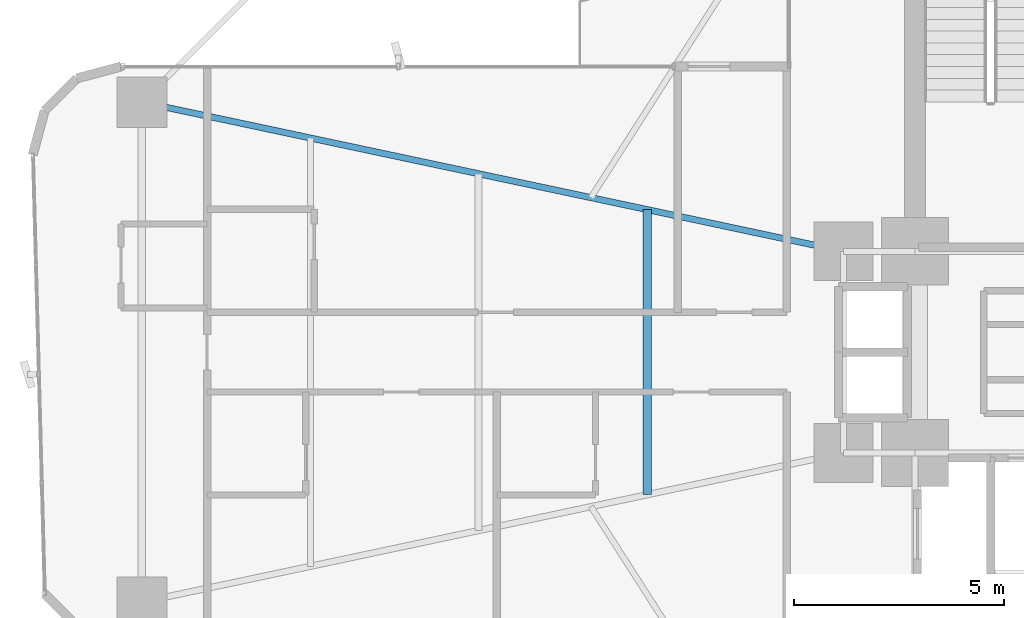
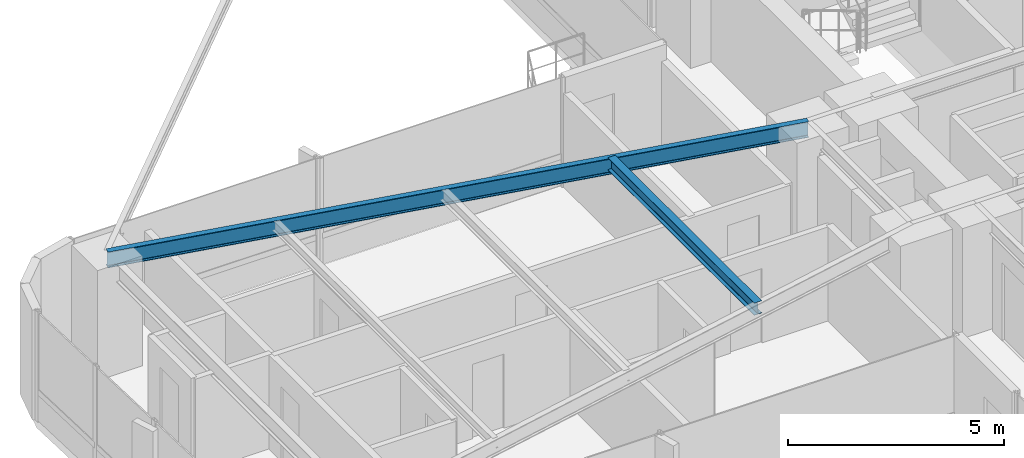
# One storey, part 9 of 25: 2 beams.
"""IFC4 building model written with IfcOpenShell, lengths in metres."""

from ifc_helpers import new_model, si_unit, direction, frame, origin, origin_2d, place, context, subcontext, project, spatial, i_section, extrude, source, transform, mapped, material, material_profile, profile_set, type_object, element, save


model = new_model("IFC4")

# Units and contexts
model_context = context("Model", 3, precision=1e-05, world=origin(), true_north=direction((0.0, 1.0)))
body_context = subcontext(model_context, "Body", "Model", "MODEL_VIEW")
ifc_project = project(units=[si_unit("LENGTHUNIT", "METRE"), si_unit("AREAUNIT", "SQUARE_METRE"), si_unit("VOLUMEUNIT", "CUBIC_METRE"), si_unit("PLANEANGLEUNIT", "RADIAN"), si_unit("MASSUNIT", "GRAM", prefix="KILO")], contexts=[model_context])

# Site, building, storey
site_placement = place(None, origin())
site = spatial("IfcSite", under=ifc_project, at=site_placement, CompositionType="ELEMENT")
building_placement = place(site_placement, origin())
building = spatial("IfcBuilding", under=site, at=building_placement, Name="Sahyath Konkavel Grand Hotel", CompositionType="ELEMENT")
storey_placement = place(building_placement, frame((0.0, 0.0, 67.800048828125)))
storey = spatial("IfcBuildingStorey", under=building, at=storey_placement, Name="L18", CompositionType="ELEMENT", Elevation=67.800048828125)

# Beams
ifc_material = material(Name="Steel E350", Category="steel")
ifc_material_profile_1 = material_profile(ifc_material, i_section(OverallWidth=0.14990234375, OverallDepth=0.449951171875, WebThickness=0.009521484375, FlangeThickness=0.017333984375, FilletRadius=0.014892578125, at=origin_2d()), Name="ISMB 450")
ifc_profile_set_1 = profile_set([ifc_material_profile_1], Name="Steel E350")
beam_type_1 = type_object("IfcBeamType", Name="BM-ISMB450", PredefinedType="BEAM", material=ifc_profile_set_1)
shared_shape_1 = source(origin(), body_context, "Body", "SweptSolid", [
    extrude(i_section(OverallWidth=0.14990234375, OverallDepth=0.449951171875, WebThickness=0.009521484375, FlangeThickness=0.017333984375, FilletRadius=0.014892578125, at=origin_2d()), origin(), (0.0, 0.0, 1.0), 17.072998046875),
])
beam_1_placement = place(storey_placement, frame((-5.5, 2.39990234375, 2.885009765625), z_axis=(-0.978143257225, 0.20793212437, 0.0), x_axis=(-0.20793212437, -0.978143257225, 0.0)))
element("IfcBeam", 1, at=beam_1_placement, inside=storey, type_object=beam_type_1, Name="L18 Cruciform Radial Girder WA", PredefinedType="BEAM", context=body_context, shape_type="MappedRepresentation", body=[
    mapped(shared_shape_1, transform((0.0, 0.0, 0.0), scale=1.0)),
])
ifc_material_profile_2 = material_profile(ifc_material, i_section(OverallWidth=0.199951171875, OverallDepth=0.35009765625, WebThickness=0.008056640625, FlangeThickness=0.011474609375, FilletRadius=0.013916015625, at=origin_2d()), Name="ISWB 350")
ifc_profile_set_2 = profile_set([ifc_material_profile_2], Name="Steel E350")
beam_type_2 = type_object("IfcBeamType", Name="BM-ISWB350", PredefinedType="BEAM", material=ifc_profile_set_2)
shared_shape_2 = source(origin(), body_context, "Body", "SweptSolid", [
    extrude(i_section(OverallWidth=0.199951171875, OverallDepth=0.35009765625, WebThickness=0.008056640625, FlangeThickness=0.011474609375, FilletRadius=0.013916015625, at=origin_2d()), origin(), (0.0, 0.0, 1.0), 6.7880859375),
])
beam_2_placement = place(storey_placement, frame((-10.176025390625, 3.39404296875, 2.93505859375), z_axis=(0.0, -1.0, 0.0), x_axis=(1.0, 0.0, 0.0)))
element("IfcBeam", 2, at=beam_2_placement, inside=storey, type_object=beam_type_2, Name="L18 Secondary Floor Beam W-1", PredefinedType="BEAM", context=body_context, shape_type="MappedRepresentation", body=[
    mapped(shared_shape_2, transform((0.0, 0.0, 0.0), scale=1.0)),
])

save(model, "model.ifc")
